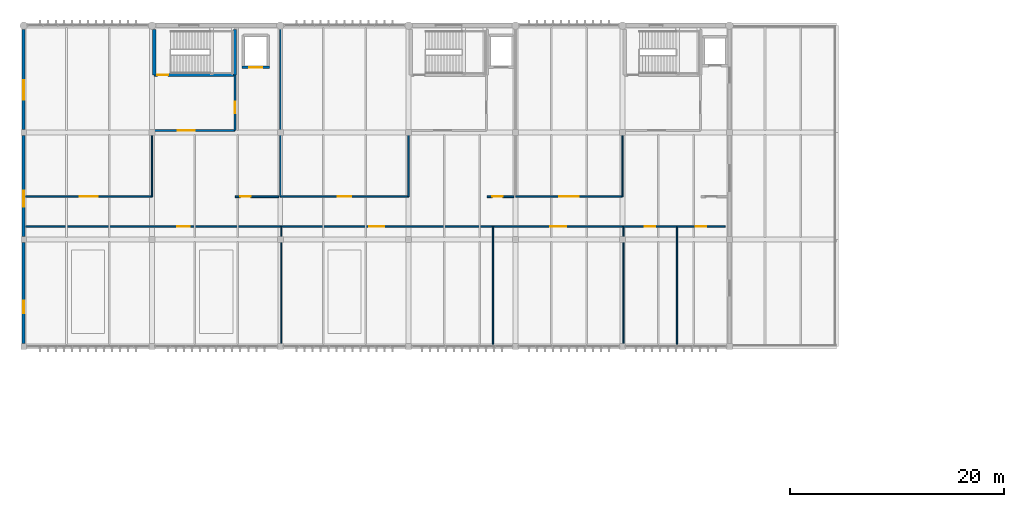
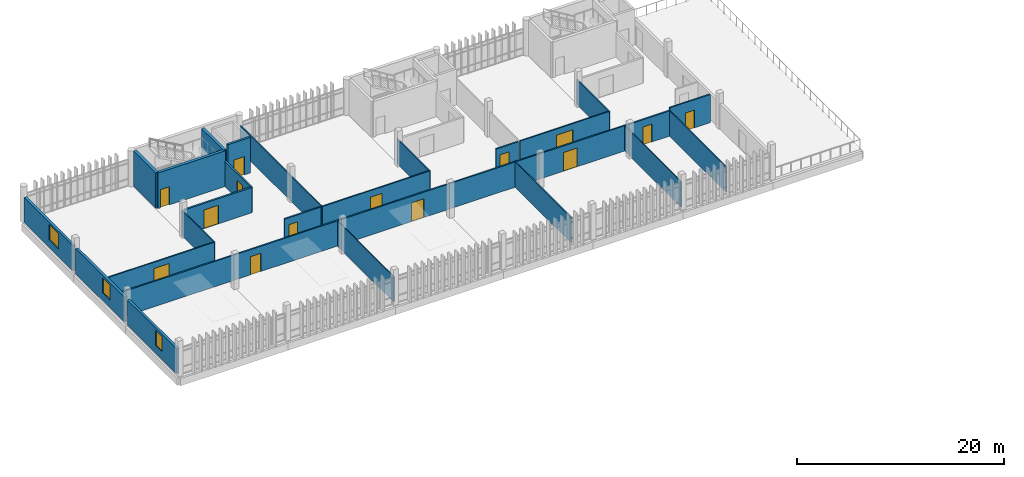
# One storey, part 25 of 29: 27 walls, 14 doors, 3 windows, 17 openings.
"""IFC4 building model written with IfcOpenShell, lengths in metres."""

from ifc_helpers import new_model, si_unit, direction, frame, frame_2d, origin, place, context, subcontext, project, spatial, rectangle, extrude, material, layer, layer_set, type_object, element, fill, save


model = new_model("IFC4")

# Units and contexts
model_context = context("Model", 3, precision=1e-05, world=origin(), true_north=direction((0.0, 1.0)))
body_context = subcontext(model_context, "Body", "Model", "MODEL_VIEW")
ifc_project = project(units=[si_unit("LENGTHUNIT", "METRE"), si_unit("AREAUNIT", "SQUARE_METRE"), si_unit("VOLUMEUNIT", "CUBIC_METRE"), si_unit("PLANEANGLEUNIT", "RADIAN"), si_unit("MASSUNIT", "GRAM", prefix="KILO")], contexts=[model_context])

# Site, building, storey
site_placement = place(None, origin())
site = spatial("IfcSite", under=ifc_project, at=site_placement, CompositionType="ELEMENT")
building_placement = place(site_placement, origin())
building = spatial("IfcBuilding", under=site, at=building_placement, Name="Mersad Railyard Sports Hall", CompositionType="ELEMENT")
storey_placement = place(building_placement, frame((0.0, 0.0, 17.39990234375)))
storey = spatial("IfcBuildingStorey", under=building, at=storey_placement, Name="L04", CompositionType="ELEMENT", Elevation=17.39990234375)

# Wall, opening, window
ifc_material_1 = material(Name="Precast concrete C45/55", Category="concrete")
ifc_layer_1 = layer(ifc_material_1, 0.280029296875)
ifc_layer_set_1 = layer_set([ifc_layer_1], Name="Precast concrete C45/55")
wall_type_1 = type_object("IfcWallType", Name="ARC-WL-EW03", PredefinedType="SOLIDWALL", material=ifc_layer_set_1)
wall_1_placement = place(storey_placement, frame((55.0, 85.27490234375, 0.0), z_axis=(0.0, 0.0, 1.0), x_axis=(0.0, 1.0, 0.0)))
wall_1 = element("IfcWall", 1, at=wall_1_placement, inside=storey, type_object=wall_type_1, Name="External wall EW03-0141", PredefinedType="SOLIDWALL", context=body_context, shape_type="SweptSolid", body=[
    extrude(rectangle(XDim=9.4501953125, YDim=0.280029296875, at=frame_2d((4.72509765625, 0.0))), origin(), (0.0, 0.0, 1.0), 2.97509765625),
])
opening_1_placement = place(wall_1_placement, frame((2.800048828125, 0.0, 0.89990234375)))
opening_1 = element("IfcOpeningElement", 2, at=opening_1_placement, cuts=wall_1, Name="Opening W09", PredefinedType="OPENING", context=body_context, shape_type="SweptSolid", body=[
    extrude(rectangle(XDim=1.199951171875, YDim=1.800048828125, at=frame_2d((0.60009765625, 0.89990234375))), frame((0.0, 0.14990234375, 0.0), z_axis=(0.0, -1.0, 0.0), x_axis=(1.0, 0.0, 0.0)), (0.0, 0.0, 1.0), 0.300048828125),
])
ifc_material_2 = material(Name="Solar-control glass", Category="glass")
window_type_1 = type_object("IfcWindowType", Name="ARC-WN-W09", PartitioningType="SINGLE_PANEL", PredefinedType="WINDOW", material=ifc_material_2)
window_1_placement = place(opening_1_placement, origin())
window_1 = element("IfcWindow", 3, at=window_1_placement, inside=storey, type_object=window_type_1, Name="Window W09-0052", OverallHeight=1.800048828125, OverallWidth=1.199951171875, PartitioningType="SINGLE_PANEL", PredefinedType="WINDOW", context=body_context, shape_type="SweptSolid", body=[
    extrude(rectangle(XDim=1.199951171875, YDim=1.800048828125, at=frame_2d((0.60009765625, 0.89990234375))), frame((0.0, 0.030029296875, 0.0), z_axis=(0.0, -1.0, 0.0), x_axis=(1.0, 0.0, 0.0)), (0.0, 0.0, 1.0), 0.06005859375),
])
fill(opening_1, window_1)

wall_2_placement = place(storey_placement, frame((55.0, 95.27490234375, 0.0), z_axis=(0.0, 0.0, 1.0), x_axis=(0.0, 1.0, 0.0)))
wall_2 = element("IfcWall", 4, at=wall_2_placement, inside=storey, type_object=wall_type_1, Name="External wall EW03-0142", PredefinedType="SOLIDWALL", context=body_context, shape_type="SweptSolid", body=[
    extrude(rectangle(XDim=9.4501953125, YDim=0.280029296875, at=frame_2d((4.72509765625, 0.0))), origin(), (0.0, 0.0, 1.0), 2.97509765625),
])
opening_2_placement = place(wall_2_placement, frame((2.800048828125, 0.0, 0.89990234375)))
opening_2 = element("IfcOpeningElement", 5, at=opening_2_placement, cuts=wall_2, Name="Opening W10", PredefinedType="OPENING", context=body_context, shape_type="SweptSolid", body=[
    extrude(rectangle(XDim=1.5, YDim=1.800048828125, at=frame_2d((0.75, 0.89990234375))), frame((0.0, 0.14990234375, 0.0), z_axis=(0.0, -1.0, 0.0), x_axis=(1.0, 0.0, 0.0)), (0.0, 0.0, 1.0), 0.300048828125),
])
window_type_2 = type_object("IfcWindowType", Name="ARC-WN-W10", PartitioningType="SINGLE_PANEL", PredefinedType="WINDOW", material=ifc_material_2)
window_2_placement = place(opening_2_placement, origin())
window_2 = element("IfcWindow", 6, at=window_2_placement, inside=storey, type_object=window_type_2, Name="Window W10-0053", OverallHeight=1.800048828125, OverallWidth=1.5, PartitioningType="SINGLE_PANEL", PredefinedType="WINDOW", context=body_context, shape_type="SweptSolid", body=[
    extrude(rectangle(XDim=1.5, YDim=1.800048828125, at=frame_2d((0.75, 0.89990234375))), frame((0.0, 0.030029296875, 0.0), z_axis=(0.0, -1.0, 0.0), x_axis=(1.0, 0.0, 0.0)), (0.0, 0.0, 1.0), 0.06005859375),
])
fill(opening_2, window_2)

wall_3_placement = place(storey_placement, frame((55.0, 105.27490234375, 0.0), z_axis=(0.0, 0.0, 1.0), x_axis=(0.0, 1.0, 0.0)))
wall_3 = element("IfcWall", 7, at=wall_3_placement, inside=storey, type_object=wall_type_1, Name="External wall EW03-0143", PredefinedType="SOLIDWALL", context=body_context, shape_type="SweptSolid", body=[
    extrude(rectangle(XDim=9.375, YDim=0.280029296875, at=frame_2d((4.6875, 0.0))), origin(), (0.0, 0.0, 1.0), 2.97509765625),
])
opening_3_placement = place(wall_3_placement, frame((2.800048828125, 0.0, 0.89990234375)))
opening_3 = element("IfcOpeningElement", 8, at=opening_3_placement, cuts=wall_3, Name="Opening W11", PredefinedType="OPENING", context=body_context, shape_type="SweptSolid", body=[
    extrude(rectangle(XDim=1.800048828125, YDim=1.800048828125, at=frame_2d((0.89990234375, 0.89990234375))), frame((0.0, 0.14990234375, 0.0), z_axis=(0.0, -1.0, 0.0), x_axis=(1.0, 0.0, 0.0)), (0.0, 0.0, 1.0), 0.300048828125),
])
window_type_3 = type_object("IfcWindowType", Name="ARC-WN-W11", PartitioningType="DOUBLE_PANEL_VERTICAL", PredefinedType="WINDOW", material=ifc_material_2)
window_3_placement = place(opening_3_placement, origin())
window_3 = element("IfcWindow", 9, at=window_3_placement, inside=storey, type_object=window_type_3, Name="Window W11-0054", OverallHeight=1.800048828125, OverallWidth=1.800048828125, PartitioningType="DOUBLE_PANEL_VERTICAL", PredefinedType="WINDOW", context=body_context, shape_type="SweptSolid", body=[
    extrude(rectangle(XDim=1.800048828125, YDim=1.800048828125, at=frame_2d((0.89990234375, 0.89990234375))), frame((0.0, 0.030029296875, 0.0), z_axis=(0.0, -1.0, 0.0), x_axis=(1.0, 0.0, 0.0)), (0.0, 0.0, 1.0), 0.06005859375),
])
fill(opening_3, window_3)

# Wall, opening, door
ifc_layer_2 = layer(ifc_material_1, 0.199951171875)
ifc_layer_set_2 = layer_set([ifc_layer_2], Name="Precast concrete C45/55")
wall_type_2 = type_object("IfcWallType", Name="ARC-WL-PT01", PredefinedType="PARTITIONING", material=ifc_layer_set_2)
wall_4_placement = place(storey_placement, frame((67.199951171875, 105.199951171875, 0.0), z_axis=(0.0, 0.0, 1.0), x_axis=(1.0, 0.0, 0.0)))
wall_4 = element("IfcWall", 10, at=wall_4_placement, inside=storey, type_object=wall_type_2, Name="Interior wall PT01-0184", PredefinedType="PARTITIONING", context=body_context, shape_type="SweptSolid", body=[
    extrude(rectangle(XDim=7.550048828125, YDim=0.199951171875, at=frame_2d((3.77490234375, 0.0))), origin(), (0.0, 0.0, 1.0), 2.97509765625),
])
opening_4_placement = place(wall_4_placement, frame((2.199951171875, 0.0, 0.0)))
opening_4 = element("IfcOpeningElement", 11, at=opening_4_placement, cuts=wall_4, Name="Opening FD04", PredefinedType="OPENING", context=body_context, shape_type="SweptSolid", body=[
    extrude(rectangle(XDim=1.60009765625, YDim=2.199951171875, at=frame_2d((0.800048828125, 1.10009765625))), frame((0.0, 0.10986328125, 0.0), z_axis=(0.0, -1.0, 0.0), x_axis=(1.0, 0.0, 0.0)), (0.0, 0.0, 1.0), 0.219970703125),
])
ifc_material_3 = material(Name="Steel S355", Category="steel")
door_type_1 = type_object("IfcDoorType", Name="ARC-DR-FD04", OperationType="NOTDEFINED", PredefinedType="DOOR", material=ifc_material_3)
door_1_placement = place(opening_4_placement, origin())
door_1 = element("IfcDoor", 12, at=door_1_placement, inside=storey, type_object=door_type_1, Name="C1 firefighting lobby door FD04-0062", OperationType="DOUBLE_DOOR_SINGLE_SWING", OverallHeight=2.199951171875, OverallWidth=1.60009765625, PredefinedType="DOOR", context=body_context, shape_type="SweptSolid", body=[
    extrude(rectangle(XDim=1.60009765625, YDim=2.199951171875, at=frame_2d((0.800048828125, 1.10009765625))), frame((0.0, 0.02490234375, 0.0), z_axis=(0.0, -1.0, 0.0), x_axis=(1.0, 0.0, 0.0)), (0.0, 0.0, 1.0), 0.050048828125),
])
fill(opening_4, door_1)

wall_5_placement = place(storey_placement, frame((74.75, 105.199951171875, 0.0), z_axis=(0.0, 0.0, 1.0), x_axis=(0.0, 1.0, 0.0)))
wall_5 = element("IfcWall", 13, at=wall_5_placement, inside=storey, type_object=wall_type_2, Name="Interior wall PT01-0185", PredefinedType="PARTITIONING", context=body_context, shape_type="SweptSolid", body=[
    extrude(rectangle(XDim=5.179931640625, YDim=0.199951171875, at=frame_2d((2.58984375, 0.0))), origin(), (0.0, 0.0, 1.0), 2.97509765625),
])
opening_5_placement = place(wall_5_placement, frame((1.60009765625, 0.0, 0.0)))
opening_5 = element("IfcOpeningElement", 14, at=opening_5_placement, cuts=wall_5, Name="Opening FD01", PredefinedType="OPENING", context=body_context, shape_type="SweptSolid", body=[
    extrude(rectangle(XDim=1.10009765625, YDim=2.14990234375, at=frame_2d((0.550048828125, 1.074951171875))), frame((0.0, 0.10986328125, 0.0), z_axis=(0.0, -1.0, 0.0), x_axis=(1.0, 0.0, 0.0)), (0.0, 0.0, 1.0), 0.219970703125),
])
door_type_2 = type_object("IfcDoorType", Name="ARC-DR-FD01", OperationType="NOTDEFINED", PredefinedType="DOOR", material=ifc_material_3)
door_2_placement = place(opening_5_placement, origin())
door_2 = element("IfcDoor", 15, at=door_2_placement, inside=storey, type_object=door_type_2, Name="C1 lift-to-firefighting lobby door FD01-0063", OperationType="SINGLE_SWING_LEFT", OverallHeight=2.14990234375, OverallWidth=1.10009765625, PredefinedType="DOOR", context=body_context, shape_type="SweptSolid", body=[
    extrude(rectangle(XDim=1.10009765625, YDim=2.14990234375, at=frame_2d((0.550048828125, 1.074951171875))), frame((0.0, 0.02490234375, 0.0), z_axis=(0.0, -1.0, 0.0), x_axis=(1.0, 0.0, 0.0)), (0.0, 0.0, 1.0), 0.050048828125),
])
fill(opening_5, door_2)

ifc_material_4 = material(Name="Gypsum plasterboard", Category="gypsum")
ifc_layer_3 = layer(ifc_material_4, 0.159912109375)
ifc_layer_set_3 = layer_set([ifc_layer_3], Name="Gypsum plasterboard")
wall_type_3 = type_object("IfcWallType", Name="ARC-WL-PT02", PredefinedType="PARTITIONING", material=ifc_layer_set_3)
wall_6_placement = place(storey_placement, frame((74.800048828125, 99.0, 0.0), z_axis=(0.0, 0.0, 1.0), x_axis=(1.0, 0.0, 0.0)))
wall_6 = element("IfcWall", 16, at=wall_6_placement, inside=storey, type_object=wall_type_3, Name="Interior wall PT02-0186", PredefinedType="PARTITIONING", context=body_context, shape_type="SweptSolid", body=[
    extrude(rectangle(XDim=4.050048828125, YDim=0.159912109375, at=frame_2d((2.02490234375, 0.0))), origin(), (0.0, 0.0, 1.0), 2.97509765625),
])
opening_6_placement = place(wall_6_placement, frame((0.449951171875, 0.0, 0.0)))
opening_6 = element("IfcOpeningElement", 17, at=opening_6_placement, cuts=wall_6, Name="Opening FD02", PredefinedType="OPENING", context=body_context, shape_type="SweptSolid", body=[
    extrude(rectangle(XDim=1.0, YDim=2.14990234375, at=frame_2d((0.5, 1.074951171875))), frame((0.0, 0.08984375, 0.0), z_axis=(0.0, -1.0, 0.0), x_axis=(1.0, 0.0, 0.0)), (0.0, 0.0, 1.0), 0.179931640625),
])
door_type_3 = type_object("IfcDoorType", Name="ARC-DR-FD02", OperationType="NOTDEFINED", PredefinedType="DOOR", material=ifc_material_3)
door_3_placement = place(opening_6_placement, origin())
door_3 = element("IfcDoor", 18, at=door_3_placement, inside=storey, type_object=door_type_3, Name="C1 lift lobby corridor door FD02-0064", OperationType="SINGLE_SWING_RIGHT", OverallHeight=2.14990234375, OverallWidth=1.0, PredefinedType="DOOR", context=body_context, shape_type="SweptSolid", body=[
    extrude(rectangle(XDim=1.0, YDim=2.14990234375, at=frame_2d((0.5, 1.074951171875))), frame((0.0, 0.02490234375, 0.0), z_axis=(0.0, -1.0, 0.0), x_axis=(1.0, 0.0, 0.0)), (0.0, 0.0, 1.0), 0.050048828125),
])
fill(opening_6, door_3)

wall_7_placement = place(storey_placement, frame((98.35009765625, 99.0, 0.0), z_axis=(0.0, 0.0, 1.0), x_axis=(1.0, 0.0, 0.0)))
wall_7 = element("IfcWall", 19, at=wall_7_placement, inside=storey, type_object=wall_type_3, Name="Interior wall PT02-0228", PredefinedType="PARTITIONING", context=body_context, shape_type="SweptSolid", body=[
    extrude(rectangle(XDim=2.5, YDim=0.159912109375, at=frame_2d((1.25, 0.0))), origin(), (0.0, 0.0, 1.0), 2.97509765625),
])
opening_7_placement = place(wall_7_placement, frame((0.449951171875, 0.0, 0.0)))
opening_7 = element("IfcOpeningElement", 20, at=opening_7_placement, cuts=wall_7, Name="Opening FD02", PredefinedType="OPENING", context=body_context, shape_type="SweptSolid", body=[
    extrude(rectangle(XDim=1.0, YDim=2.14990234375, at=frame_2d((0.5, 1.074951171875))), frame((0.0, 0.08984375, 0.0), z_axis=(0.0, -1.0, 0.0), x_axis=(1.0, 0.0, 0.0)), (0.0, 0.0, 1.0), 0.179931640625),
])
door_4_placement = place(opening_7_placement, origin())
door_4 = element("IfcDoor", 21, at=door_4_placement, inside=storey, type_object=door_type_3, Name="C2 lift lobby corridor door FD02-0092", OperationType="SINGLE_SWING_LEFT", OverallHeight=2.14990234375, OverallWidth=1.0, PredefinedType="DOOR", context=body_context, shape_type="SweptSolid", body=[
    extrude(rectangle(XDim=1.0, YDim=2.14990234375, at=frame_2d((0.5, 1.074951171875))), frame((0.0, 0.02490234375, 0.0), z_axis=(0.0, -1.0, 0.0), x_axis=(1.0, 0.0, 0.0)), (0.0, 0.0, 1.0), 0.050048828125),
])
fill(opening_7, door_4)

wall_8_placement = place(storey_placement, frame((55.179931640625, 96.199951171875, 0.0), z_axis=(0.0, 0.0, 1.0), x_axis=(1.0, 0.0, 0.0)))
wall_8 = element("IfcWall", 22, at=wall_8_placement, inside=storey, type_object=wall_type_3, Name="Interior wall PT02-0498", PredefinedType="PARTITIONING", context=body_context, shape_type="SweptSolid", body=[
    extrude(rectangle(XDim=23.920166015625, YDim=0.159912109375, at=frame_2d((11.9599609375, 0.0))), origin(), (0.0, 0.0, 1.0), 2.97509765625),
])
opening_8_placement = place(wall_8_placement, frame((14.18505859375, 0.0, 0.0)))
opening_8 = element("IfcOpeningElement", 23, at=opening_8_placement, cuts=wall_8, Name="Opening FD08", PredefinedType="OPENING", context=body_context, shape_type="SweptSolid", body=[
    extrude(rectangle(XDim=1.14990234375, YDim=2.14990234375, at=frame_2d((0.574951171875, 1.074951171875))), frame((0.0, 0.08984375, 0.0), z_axis=(0.0, -1.0, 0.0), x_axis=(1.0, 0.0, 0.0)), (0.0, 0.0, 1.0), 0.179931640625),
])
door_type_4 = type_object("IfcDoorType", Name="ARC-DR-FD08", OperationType="NOTDEFINED", PredefinedType="DOOR", material=ifc_material_3)
door_5_placement = place(opening_8_placement, origin())
door_5 = element("IfcDoor", 24, at=door_5_placement, inside=storey, type_object=door_type_4, Name="L04 south room door FD08-0224", OperationType="SINGLE_SWING_LEFT", OverallHeight=2.14990234375, OverallWidth=1.14990234375, PredefinedType="DOOR", context=body_context, shape_type="SweptSolid", body=[
    extrude(rectangle(XDim=1.14990234375, YDim=2.14990234375, at=frame_2d((0.574951171875, 1.074951171875))), frame((0.0, 0.02490234375, 0.0), z_axis=(0.0, -1.0, 0.0), x_axis=(1.0, 0.0, 0.0)), (0.0, 0.0, 1.0), 0.050048828125),
])
fill(opening_8, door_5)

wall_9_placement = place(storey_placement, frame((79.10009765625, 96.199951171875, 0.0), z_axis=(0.0, 0.0, 1.0), x_axis=(1.0, 0.0, 0.0)))
wall_9 = element("IfcWall", 25, at=wall_9_placement, inside=storey, type_object=wall_type_3, Name="Interior wall PT02-0499", PredefinedType="PARTITIONING", context=body_context, shape_type="SweptSolid", body=[
    extrude(rectangle(XDim=19.7998046875, YDim=0.159912109375, at=frame_2d((9.89990234375, 0.0))), origin(), (0.0, 0.0, 1.0), 2.97509765625),
])
opening_9_placement = place(wall_9_placement, frame((8.199951171875, 0.0, 0.0)))
opening_9 = element("IfcOpeningElement", 26, at=opening_9_placement, cuts=wall_9, Name="Opening FD09", PredefinedType="OPENING", context=body_context, shape_type="SweptSolid", body=[
    extrude(rectangle(XDim=1.39990234375, YDim=2.199951171875, at=frame_2d((0.699951171875, 1.10009765625))), frame((0.0, 0.08984375, 0.0), z_axis=(0.0, -1.0, 0.0), x_axis=(1.0, 0.0, 0.0)), (0.0, 0.0, 1.0), 0.179931640625),
])
door_type_5 = type_object("IfcDoorType", Name="ARC-DR-FD09", OperationType="NOTDEFINED", PredefinedType="DOOR", material=ifc_material_3)
door_6_placement = place(opening_9_placement, origin())
door_6 = element("IfcDoor", 27, at=door_6_placement, inside=storey, type_object=door_type_5, Name="L04 south room door FD09-0225", OperationType="SINGLE_SWING_RIGHT", OverallHeight=2.199951171875, OverallWidth=1.39990234375, PredefinedType="DOOR", context=body_context, shape_type="SweptSolid", body=[
    extrude(rectangle(XDim=1.39990234375, YDim=2.199951171875, at=frame_2d((0.699951171875, 1.10009765625))), frame((0.0, 0.02490234375, 0.0), z_axis=(0.0, -1.0, 0.0), x_axis=(1.0, 0.0, 0.0)), (0.0, 0.0, 1.0), 0.050048828125),
])
fill(opening_9, door_6)

wall_10_placement = place(storey_placement, frame((98.89990234375, 96.199951171875, 0.0), z_axis=(0.0, 0.0, 1.0), x_axis=(1.0, 0.0, 0.0)))
wall_10 = element("IfcWall", 28, at=wall_10_placement, inside=storey, type_object=wall_type_3, Name="Interior wall PT02-0501", PredefinedType="PARTITIONING", context=body_context, shape_type="SweptSolid", body=[
    extrude(rectangle(XDim=12.2001953125, YDim=0.159912109375, at=frame_2d((6.10009765625, 0.0))), origin(), (0.0, 0.0, 1.0), 2.97509765625),
])
opening_10_placement = place(wall_10_placement, frame((5.35009765625, 0.0, 0.0)))
opening_10 = element("IfcOpeningElement", 29, at=opening_10_placement, cuts=wall_10, Name="Opening FD10", PredefinedType="OPENING", context=body_context, shape_type="SweptSolid", body=[
    extrude(rectangle(XDim=1.5, YDim=2.199951171875, at=frame_2d((0.75, 1.10009765625))), frame((0.0, 0.08984375, 0.0), z_axis=(0.0, -1.0, 0.0), x_axis=(1.0, 0.0, 0.0)), (0.0, 0.0, 1.0), 0.179931640625),
])
door_type_6 = type_object("IfcDoorType", Name="ARC-DR-FD10", OperationType="NOTDEFINED", PredefinedType="DOOR", material=ifc_material_3)
door_7_placement = place(opening_10_placement, origin())
door_7 = element("IfcDoor", 30, at=door_7_placement, inside=storey, type_object=door_type_6, Name="L04 south room door FD10-0226", OperationType="DOUBLE_DOOR_SINGLE_SWING", OverallHeight=2.199951171875, OverallWidth=1.5, PredefinedType="DOOR", context=body_context, shape_type="SweptSolid", body=[
    extrude(rectangle(XDim=1.5, YDim=2.199951171875, at=frame_2d((0.75, 1.10009765625))), frame((0.0, 0.02490234375, 0.0), z_axis=(0.0, -1.0, 0.0), x_axis=(1.0, 0.0, 0.0)), (0.0, 0.0, 1.0), 0.050048828125),
])
fill(opening_10, door_7)

wall_11_placement = place(storey_placement, frame((111.10009765625, 96.199951171875, 0.0), z_axis=(0.0, 0.0, 1.0), x_axis=(1.0, 0.0, 0.0)))
wall_11 = element("IfcWall", 31, at=wall_11_placement, inside=storey, type_object=wall_type_3, Name="Interior wall PT02-0503", PredefinedType="PARTITIONING", context=body_context, shape_type="SweptSolid", body=[
    extrude(rectangle(XDim=5.0, YDim=0.159912109375, at=frame_2d((2.5, 0.0))), origin(), (0.0, 0.0, 1.0), 2.97509765625),
])
opening_11_placement = place(wall_11_placement, frame((2.0, 0.0, 0.0)))
opening_11 = element("IfcOpeningElement", 32, at=opening_11_placement, cuts=wall_11, Name="Opening FD06", PredefinedType="OPENING", context=body_context, shape_type="SweptSolid", body=[
    extrude(rectangle(XDim=0.97998046875, YDim=2.10009765625, at=frame_2d((0.489990234375, 1.050048828125))), frame((0.0, 0.08984375, 0.0), z_axis=(0.0, -1.0, 0.0), x_axis=(1.0, 0.0, 0.0)), (0.0, 0.0, 1.0), 0.179931640625),
])
door_type_7 = type_object("IfcDoorType", Name="ARC-DR-FD06", OperationType="NOTDEFINED", PredefinedType="DOOR", material=ifc_material_3)
door_8_placement = place(opening_11_placement, origin())
door_8 = element("IfcDoor", 33, at=door_8_placement, inside=storey, type_object=door_type_7, Name="L04 south room door FD06-0227", OperationType="SINGLE_SWING_LEFT", OverallHeight=2.10009765625, OverallWidth=0.97998046875, PredefinedType="DOOR", context=body_context, shape_type="SweptSolid", body=[
    extrude(rectangle(XDim=0.97998046875, YDim=2.10009765625, at=frame_2d((0.489990234375, 1.050048828125))), frame((0.0, 0.02490234375, 0.0), z_axis=(0.0, -1.0, 0.0), x_axis=(1.0, 0.0, 0.0)), (0.0, 0.0, 1.0), 0.050048828125),
])
fill(opening_11, door_8)

wall_12_placement = place(storey_placement, frame((116.10009765625, 96.199951171875, 0.0), z_axis=(0.0, 0.0, 1.0), x_axis=(1.0, 0.0, 0.0)))
wall_12 = element("IfcWall", 34, at=wall_12_placement, inside=storey, type_object=wall_type_3, Name="Interior wall PT02-0505", PredefinedType="PARTITIONING", context=body_context, shape_type="SweptSolid", body=[
    extrude(rectangle(XDim=4.5, YDim=0.159912109375, at=frame_2d((2.25, 0.0))), origin(), (0.0, 0.0, 1.0), 3.3251953125),
])
opening_12_placement = place(wall_12_placement, frame((1.75, 0.0, 0.0)))
opening_12 = element("IfcOpeningElement", 35, at=opening_12_placement, cuts=wall_12, Name="Opening FD06", PredefinedType="OPENING", context=body_context, shape_type="SweptSolid", body=[
    extrude(rectangle(XDim=0.97998046875, YDim=2.10009765625, at=frame_2d((0.489990234375, 1.050048828125))), frame((0.0, 0.08984375, 0.0), z_axis=(0.0, -1.0, 0.0), x_axis=(1.0, 0.0, 0.0)), (0.0, 0.0, 1.0), 0.179931640625),
])
door_9_placement = place(opening_12_placement, origin())
door_9 = element("IfcDoor", 36, at=door_9_placement, inside=storey, type_object=door_type_7, Name="L04 south room door FD06-0228", OperationType="SINGLE_SWING_RIGHT", OverallHeight=2.10009765625, OverallWidth=0.97998046875, PredefinedType="DOOR", context=body_context, shape_type="SweptSolid", body=[
    extrude(rectangle(XDim=0.97998046875, YDim=2.10009765625, at=frame_2d((0.489990234375, 1.050048828125))), frame((0.0, 0.02490234375, 0.0), z_axis=(0.0, -1.0, 0.0), x_axis=(1.0, 0.0, 0.0)), (0.0, 0.0, 1.0), 0.050048828125),
])
fill(opening_12, door_9)

ifc_layer_4 = layer(ifc_material_4, 0.139892578125)
ifc_layer_set_4 = layer_set([ifc_layer_4], Name="Gypsum plasterboard")
wall_type_4 = type_object("IfcWallType", Name="ARC-WL-PT03", PredefinedType="PARTITIONING", material=ifc_layer_set_4)
wall_13_placement = place(storey_placement, frame((55.179931640625, 99.0, 0.0), z_axis=(0.0, 0.0, 1.0), x_axis=(1.0, 0.0, 0.0)))
wall_13 = element("IfcWall", 37, at=wall_13_placement, inside=storey, type_object=wall_type_4, Name="Interior wall PT03-0507", PredefinedType="PARTITIONING", context=body_context, shape_type="SweptSolid", body=[
    extrude(rectangle(XDim=11.820068359375, YDim=0.139892578125, at=frame_2d((5.91015625, 0.0))), origin(), (0.0, 0.0, 1.0), 2.97509765625),
])
opening_13_placement = place(wall_13_placement, frame((5.06005859375, 0.0, 0.0)))
opening_13 = element("IfcOpeningElement", 38, at=opening_13_placement, cuts=wall_13, Name="Opening FD11", PredefinedType="OPENING", context=body_context, shape_type="SweptSolid", body=[
    extrude(rectangle(XDim=1.699951171875, YDim=2.25, at=frame_2d((0.85009765625, 1.125))), frame((0.0, 0.079833984375, 0.0), z_axis=(0.0, -1.0, 0.0), x_axis=(1.0, 0.0, 0.0)), (0.0, 0.0, 1.0), 0.159912109375),
])
door_type_8 = type_object("IfcDoorType", Name="ARC-DR-FD11", OperationType="NOTDEFINED", PredefinedType="DOOR", material=ifc_material_3)
door_10_placement = place(opening_13_placement, origin())
door_10 = element("IfcDoor", 39, at=door_10_placement, inside=storey, type_object=door_type_8, Name="L04 north room door FD11-0229", OperationType="DOUBLE_DOOR_SINGLE_SWING", OverallHeight=2.25, OverallWidth=1.699951171875, PredefinedType="DOOR", context=body_context, shape_type="SweptSolid", body=[
    extrude(rectangle(XDim=1.699951171875, YDim=2.25, at=frame_2d((0.85009765625, 1.125))), frame((0.0, 0.02490234375, 0.0), z_axis=(0.0, -1.0, 0.0), x_axis=(1.0, 0.0, 0.0)), (0.0, 0.0, 1.0), 0.050048828125),
])
fill(opening_13, door_10)

wall_14_placement = place(storey_placement, frame((79.0, 99.0, 0.0), z_axis=(0.0, 0.0, 1.0), x_axis=(1.0, 0.0, 0.0)))
wall_14 = element("IfcWall", 40, at=wall_14_placement, inside=storey, type_object=wall_type_4, Name="Interior wall PT03-0509", PredefinedType="PARTITIONING", context=body_context, shape_type="SweptSolid", body=[
    extrude(rectangle(XDim=12.0, YDim=0.139892578125, at=frame_2d((6.0, 0.0))), origin(), (0.0, 0.0, 1.0), 2.97509765625),
])
opening_14_placement = place(wall_14_placement, frame((5.35009765625, 0.0, 0.0)))
opening_14 = element("IfcOpeningElement", 41, at=opening_14_placement, cuts=wall_14, Name="Opening FD03", PredefinedType="OPENING", context=body_context, shape_type="SweptSolid", body=[
    extrude(rectangle(XDim=1.300048828125, YDim=2.199951171875, at=frame_2d((0.64990234375, 1.10009765625))), frame((0.0, 0.079833984375, 0.0), z_axis=(0.0, -1.0, 0.0), x_axis=(1.0, 0.0, 0.0)), (0.0, 0.0, 1.0), 0.159912109375),
])
door_type_9 = type_object("IfcDoorType", Name="ARC-DR-FD03", OperationType="NOTDEFINED", PredefinedType="DOOR", material=ifc_material_3)
door_11_placement = place(opening_14_placement, origin())
door_11 = element("IfcDoor", 42, at=door_11_placement, inside=storey, type_object=door_type_9, Name="L04 north room door FD03-0230", OperationType="SINGLE_SWING_LEFT", OverallHeight=2.199951171875, OverallWidth=1.300048828125, PredefinedType="DOOR", context=body_context, shape_type="SweptSolid", body=[
    extrude(rectangle(XDim=1.300048828125, YDim=2.199951171875, at=frame_2d((0.64990234375, 1.10009765625))), frame((0.0, 0.02490234375, 0.0), z_axis=(0.0, -1.0, 0.0), x_axis=(1.0, 0.0, 0.0)), (0.0, 0.0, 1.0), 0.050048828125),
])
fill(opening_14, door_11)

wall_15_placement = place(storey_placement, frame((101.0, 99.0, 0.0), z_axis=(0.0, 0.0, 1.0), x_axis=(1.0, 0.0, 0.0)))
wall_15 = element("IfcWall", 43, at=wall_15_placement, inside=storey, type_object=wall_type_4, Name="Interior wall PT03-0512", PredefinedType="PARTITIONING", context=body_context, shape_type="SweptSolid", body=[
    extrude(rectangle(XDim=10.0, YDim=0.139892578125, at=frame_2d((5.0, 0.0))), origin(), (0.0, 0.0, 1.0), 2.97509765625),
])
opening_15_placement = place(wall_15_placement, frame((4.10009765625, 0.0, 0.0)))
opening_15 = element("IfcOpeningElement", 44, at=opening_15_placement, cuts=wall_15, Name="Opening FD05", PredefinedType="OPENING", context=body_context, shape_type="SweptSolid", body=[
    extrude(rectangle(XDim=1.800048828125, YDim=2.25, at=frame_2d((0.89990234375, 1.125))), frame((0.0, 0.079833984375, 0.0), z_axis=(0.0, -1.0, 0.0), x_axis=(1.0, 0.0, 0.0)), (0.0, 0.0, 1.0), 0.159912109375),
])
door_type_10 = type_object("IfcDoorType", Name="ARC-DR-FD05", OperationType="NOTDEFINED", PredefinedType="DOOR", material=ifc_material_3)
door_12_placement = place(opening_15_placement, origin())
door_12 = element("IfcDoor", 45, at=door_12_placement, inside=storey, type_object=door_type_10, Name="L04 north room door FD05-0231", OperationType="DOUBLE_DOOR_SINGLE_SWING", OverallHeight=2.25, OverallWidth=1.800048828125, PredefinedType="DOOR", context=body_context, shape_type="SweptSolid", body=[
    extrude(rectangle(XDim=1.800048828125, YDim=2.25, at=frame_2d((0.89990234375, 1.125))), frame((0.0, 0.02490234375, 0.0), z_axis=(0.0, -1.0, 0.0), x_axis=(1.0, 0.0, 0.0)), (0.0, 0.0, 1.0), 0.050048828125),
])
fill(opening_15, door_12)

# Walls
ifc_layer_5 = layer(ifc_material_4, 0.1201171875)
ifc_layer_set_5 = layer_set([ifc_layer_5], Name="Gypsum plasterboard")
wall_type_5 = type_object("IfcWallType", Name="ARC-WL-PT04", PredefinedType="PARTITIONING", material=ifc_layer_set_5)
for number, where, z_axis, x_axis, name in (
    (46, (98.89990234375, 85.219970703125, 0.0), (0.0, 0.0, 1.0), (0.0, 1.0, 0.0), "Interior wall PT04-0502"),
    (47, (116.10009765625, 85.219970703125, 0.0), (0.0, 0.0, 1.0), (0.0, 1.0, 0.0), "Interior wall PT04-0506"),
):
    element("IfcWall", number, at=place(storey_placement, frame(where, z_axis=z_axis, x_axis=x_axis)), inside=storey, type_object=wall_type_5, Name=name, PredefinedType="PARTITIONING", context=body_context, shape_type="SweptSolid", body=[
        extrude(rectangle(XDim=10.97998046875, YDim=0.1201171875, at=frame_2d((5.489990234375, 0.0))), origin(), (0.0, 0.0, 1.0), 2.97509765625),
    ])
wall_16_placement = place(storey_placement, frame((67.0, 99.0, 0.0), z_axis=(0.0, 0.0, 1.0), x_axis=(0.0, 1.0, 0.0)))
element("IfcWall", 48, at=wall_16_placement, inside=storey, type_object=wall_type_5, Name="Interior wall PT04-0508", PredefinedType="PARTITIONING", context=body_context, shape_type="SweptSolid", body=[
    extrude(rectangle(XDim=6.199951171875, YDim=0.1201171875, at=frame_2d((3.10009765625, 0.0))), origin(), (0.0, 0.0, 1.0), 2.97509765625),
])
wall_17_placement = place(storey_placement, frame((79.0, 99.0, 0.0), z_axis=(0.0, 0.0, 1.0), x_axis=(0.0, 1.0, 0.0)))
element("IfcWall", 49, at=wall_17_placement, inside=storey, type_object=wall_type_5, Name="Interior wall PT04-0510", PredefinedType="PARTITIONING", context=body_context, shape_type="SweptSolid", body=[
    extrude(rectangle(XDim=15.75, YDim=0.1201171875, at=frame_2d((7.875, 0.0))), origin(), (0.0, 0.0, 1.0), 2.97509765625),
])
for number, where, z_axis, x_axis, name in (
    (50, (91.0, 99.0, 0.0), (0.0, 0.0, 1.0), (0.0, 1.0, 0.0), "Interior wall PT04-0511"),
    (51, (111.0, 99.0, 0.0), (0.0, 0.0, 1.0), (0.0, 1.0, 0.0), "Interior wall PT04-0514"),
):
    element("IfcWall", number, at=place(storey_placement, frame(where, z_axis=z_axis, x_axis=x_axis)), inside=storey, type_object=wall_type_5, Name=name, PredefinedType="PARTITIONING", context=body_context, shape_type="SweptSolid", body=[
        extrude(rectangle(XDim=6.199951171875, YDim=0.1201171875, at=frame_2d((3.10009765625, 0.0))), origin(), (0.0, 0.0, 1.0), 2.97509765625),
    ])
ifc_layer_6 = layer(ifc_material_4, 0.10009765625)
ifc_layer_set_6 = layer_set([ifc_layer_6], Name="Gypsum plasterboard")
wall_type_6 = type_object("IfcWallType", Name="ARC-WL-PT05", PredefinedType="PARTITIONING", material=ifc_layer_set_6)
for number, where, z_axis, x_axis, name in (
    (52, (79.10009765625, 85.219970703125, 0.0), (0.0, 0.0, 1.0), (0.0, 1.0, 0.0), "Interior wall PT05-0500"),
    (53, (111.10009765625, 85.219970703125, 0.0), (0.0, 0.0, 1.0), (0.0, 1.0, 0.0), "Interior wall PT05-0504"),
):
    element("IfcWall", number, at=place(storey_placement, frame(where, z_axis=z_axis, x_axis=x_axis)), inside=storey, type_object=wall_type_6, Name=name, PredefinedType="PARTITIONING", context=body_context, shape_type="SweptSolid", body=[
        extrude(rectangle(XDim=10.97998046875, YDim=0.10009765625, at=frame_2d((5.489990234375, 0.0))), origin(), (0.0, 0.0, 1.0), 2.97509765625),
    ])

# Wall, opening, door
ifc_material_5 = material(Name="Concrete C40/50", Category="concrete")
ifc_layer_7 = layer(ifc_material_5, 0.320068359375)
ifc_layer_set_7 = layer_set([ifc_layer_7], Name="Concrete C40/50")
wall_type_7 = type_object("IfcWallType", Name="STR-WL-SW02", PredefinedType="SHEAR", material=ifc_layer_set_7)
wall_18_placement = place(storey_placement, frame((67.199951171875, 110.3798828125, 0.0), z_axis=(0.0, 0.0, 1.0), x_axis=(1.0, 0.0, 0.0)))
wall_18 = element("IfcWall", 54, at=wall_18_placement, inside=storey, type_object=wall_type_7, Name="Interior wall SW02-0181", PredefinedType="SHEAR", context=body_context, shape_type="SweptSolid", body=[
    extrude(rectangle(XDim=7.550048828125, YDim=0.320068359375, at=frame_2d((3.77490234375, 0.0))), origin(), (0.0, 0.0, 1.0), 4.2001953125),
])
opening_16_placement = place(wall_18_placement, frame((0.300048828125, 0.0, 0.0)))
opening_16 = element("IfcOpeningElement", 55, at=opening_16_placement, cuts=wall_18, Name="Opening FD02", PredefinedType="OPENING", context=body_context, shape_type="SweptSolid", body=[
    extrude(rectangle(XDim=1.0, YDim=2.14990234375, at=frame_2d((0.5, 1.074951171875))), frame((0.0, 0.169921875, 0.0), z_axis=(0.0, -1.0, 0.0), x_axis=(1.0, 0.0, 0.0)), (0.0, 0.0, 1.0), 0.340087890625),
])
door_13_placement = place(opening_16_placement, origin())
door_13 = element("IfcDoor", 56, at=door_13_placement, inside=storey, type_object=door_type_3, Name="C1 stair entrance door FD02-0061", OperationType="SINGLE_SWING_RIGHT", OverallHeight=2.14990234375, OverallWidth=1.0, PredefinedType="DOOR", context=body_context, shape_type="SweptSolid", body=[
    extrude(rectangle(XDim=1.0, YDim=2.14990234375, at=frame_2d((0.5, 1.074951171875))), frame((0.0, 0.02490234375, 0.0), z_axis=(0.0, -1.0, 0.0), x_axis=(1.0, 0.0, 0.0)), (0.0, 0.0, 1.0), 0.050048828125),
])
fill(opening_16, door_13)

# Walls
for number, where, z_axis, x_axis, name in (
    (57, (74.75, 110.3798828125, 0.0), (0.0, 0.0, 1.0), (0.0, 1.0, 0.0), "Interior wall SW02-0182"),
    (58, (67.199951171875, 114.6201171875, 0.0), (0.0, 0.0, 1.0), (0.0, -1.0, 0.0), "Interior wall SW02-0183"),
):
    element("IfcWall", number, at=place(storey_placement, frame(where, z_axis=z_axis, x_axis=x_axis)), inside=storey, type_object=wall_type_7, Name=name, PredefinedType="SHEAR", context=body_context, shape_type="SweptSolid", body=[
        extrude(rectangle(XDim=4.240234375, YDim=0.320068359375, at=frame_2d((2.1201171875, 0.0))), origin(), (0.0, 0.0, 1.0), 4.2001953125),
    ])

# Wall, opening, door
ifc_layer_8 = layer(ifc_material_5, 0.239990234375)
ifc_layer_set_8 = layer_set([ifc_layer_8], Name="Concrete C40/50")
wall_type_8 = type_object("IfcWallType", Name="STR-WL-SW03", PredefinedType="SHEAR", material=ifc_layer_set_8)
wall_19_placement = place(storey_placement, frame((77.969970703125, 111.10009765625, 0.0), z_axis=(0.0, 0.0, 1.0), x_axis=(-1.0, 0.0, 0.0)))
wall_19 = element("IfcWall", 59, at=wall_19_placement, inside=storey, type_object=wall_type_8, Name="Interior wall SW03-0023", PredefinedType="SHEAR", context=body_context, shape_type="SweptSolid", body=[
    extrude(rectangle(XDim=2.5400390625, YDim=0.239990234375, at=frame_2d((1.27001953125, 0.0))), origin(), (0.0, 0.0, 1.0), 4.2001953125),
])
opening_17_placement = place(wall_19_placement, frame((0.669921875, 0.0, 0.0)))
opening_17 = element("IfcOpeningElement", 60, at=opening_17_placement, cuts=wall_19, Name="Opening LD02", PredefinedType="OPENING", context=body_context, shape_type="SweptSolid", body=[
    extrude(rectangle(XDim=1.199951171875, YDim=2.14990234375, at=frame_2d((0.60009765625, 1.074951171875))), frame((0.0, 0.1298828125, 0.0), z_axis=(0.0, -1.0, 0.0), x_axis=(1.0, 0.0, 0.0)), (0.0, 0.0, 1.0), 0.260009765625),
])
door_type_11 = type_object("IfcDoorType", Name="ARC-DR-LD02", OperationType="NOTDEFINED", PredefinedType="USERDEFINED", material=ifc_material_3)
door_14_placement = place(opening_17_placement, origin())
door_14 = element("IfcDoor", 61, at=door_14_placement, inside=storey, type_object=door_type_11, Name="Lift FFL-01 landing door LD02-0006", ObjectType="LANDING DOOR", OperationType="DOUBLE_DOOR_SLIDING", OverallHeight=2.14990234375, OverallWidth=1.199951171875, PredefinedType="USERDEFINED", context=body_context, shape_type="SweptSolid", body=[
    extrude(rectangle(XDim=1.199951171875, YDim=2.14990234375, at=frame_2d((0.60009765625, 1.074951171875))), frame((0.0, 0.02490234375, 0.0), z_axis=(0.0, -1.0, 0.0), x_axis=(1.0, 0.0, 0.0)), (0.0, 0.0, 1.0), 0.050048828125),
])
fill(opening_17, door_14)

save(model, "model.ifc")
